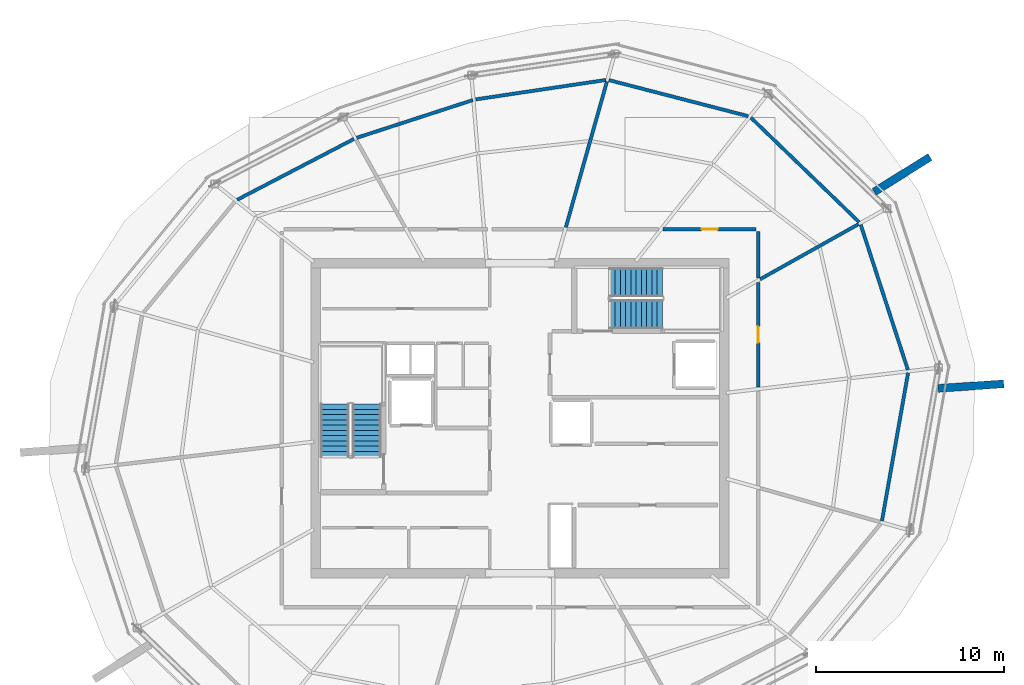
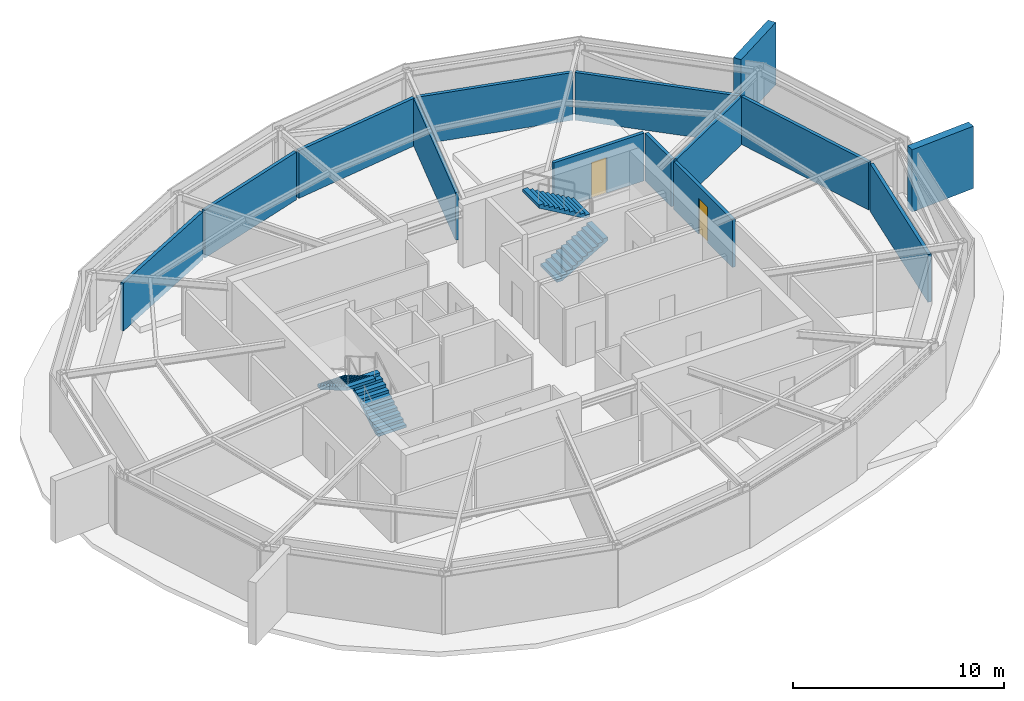
# One storey, part 9 of 10: 14 walls, 4 stair flights, 2 doors, 2 openings, 2 elements without a shape of their own.
"""IFC4 building model written with IfcOpenShell, lengths in metres."""

import ifcopenshell
import ifcopenshell.guid

model = None  # the IFC model being written
_history = None  # IfcOwnerHistory: only IFC2X3 demands one
_inside = {}  # id of a spatial element -> (the spatial element, [elements in it])
_under = {}  # id of a project, library or spatial element -> (it, [spatial elements below it])
_declared = {}  # id of a project -> (the project, [libraries it declares])
_typed = {}  # id of a type object -> (the type object, [elements of that type])
_made_of = {}  # id of a material, layer set ... -> (it, [elements and type objects made of it])


def new_model(schema):
    """Start an empty IFC model of exactly this schema.

    Asked for "IFC4X3", IfcOpenShell would pick the latest addendum, in which some entities
    have other attributes; the version numbers below select the first issue.
    IFC2X3 requires an IfcOwnerHistory on every rooted entity: one is made here for all.
    """
    global model, _history
    if schema == "IFC4X3":
        model = ifcopenshell.file(schema_version=(4, 3, 0, 0))
    else:
        model = ifcopenshell.file(schema=schema)
    _inside.clear()
    _under.clear()
    _declared.clear()
    _typed.clear()
    _made_of.clear()
    _history = None
    if model.schema == "IFC2X3":
        org = make("IfcOrganization", Name="unknown")
        user = make(
            "IfcPersonAndOrganization",
            ThePerson=make("IfcPerson", FamilyName="unknown"),
            TheOrganization=org,
        )
        app = make(
            "IfcApplication",
            ApplicationDeveloper=org,
            Version="unknown",
            ApplicationFullName="unknown",
            ApplicationIdentifier="unknown",
        )
        _history = make(
            "IfcOwnerHistory",
            OwningUser=user,
            OwningApplication=app,
            ChangeAction="ADDED",
            CreationDate=0,
        )
    return model


def make(cls, **values):
    """One entity of the class cls with the attributes given. An attribute that is None is left unset."""
    return model.create_entity(
        cls, **{name: value for name, value in values.items() if value is not None}
    )


def rooted(cls, **values):
    """An entity with a GlobalId (a new one), such as an element, a storey or a relation."""
    return make(cls, GlobalId=ifcopenshell.guid.new(), OwnerHistory=_history, **values)


def si_unit(unit_type, name, prefix=None):
    """IfcSIUnit, for example si_unit("LENGTHUNIT", "METRE", prefix="MILLI")."""
    return make("IfcSIUnit", UnitType=unit_type, Prefix=prefix, Name=name)


def assignment(units):
    """IfcUnitAssignment: the units of a project."""
    return None if units is None else make("IfcUnitAssignment", Units=units)


def point(xyz):
    """IfcCartesianPoint."""
    return None if xyz is None else make("IfcCartesianPoint", Coordinates=xyz)


def direction(xyz):
    """IfcDirection."""
    return None if xyz is None else make("IfcDirection", DirectionRatios=xyz)


def frame(location, z_axis=None, x_axis=None):
    """IfcAxis2Placement3D, a coordinate frame: its origin and axes. An axis left out is left unset."""
    return make(
        "IfcAxis2Placement3D",
        Location=point(location),
        Axis=direction(z_axis),
        RefDirection=direction(x_axis),
    )


def frame_2d(location, x_axis=None):
    """IfcAxis2Placement2D, a coordinate frame in the plane: its origin and x axis."""
    return make(
        "IfcAxis2Placement2D", Location=point(location), RefDirection=direction(x_axis)
    )


def origin():
    """The frame at (0, 0, 0) with its axes left unset."""
    return frame((0.0, 0.0, 0.0))


def place(relative_to, where):
    """IfcLocalPlacement: puts the frame where relative to a parent placement (None: the world)."""
    return make(
        "IfcLocalPlacement", PlacementRelTo=relative_to, RelativePlacement=where
    )


def context(
    kind, dimensions, precision=None, world=None, true_north=None, identifier=None
):
    """IfcGeometricRepresentationContext, for example the 3D "Model" context."""
    return make(
        "IfcGeometricRepresentationContext",
        ContextIdentifier=identifier,
        ContextType=kind,
        CoordinateSpaceDimension=dimensions,
        Precision=precision,
        WorldCoordinateSystem=world,
        TrueNorth=true_north,
    )


def subcontext(parent, identifier, kind, view, scale=None):
    """IfcGeometricRepresentationSubContext, for example "Body" below "Model"."""
    return make(
        "IfcGeometricRepresentationSubContext",
        ContextIdentifier=identifier,
        ContextType=kind,
        ParentContext=parent,
        TargetScale=scale,
        TargetView=view,
    )


def project(units=None, contexts=None):
    """IfcProject with its units and contexts."""
    return rooted(
        "IfcProject",
        Name="project",
        RepresentationContexts=contexts,
        UnitsInContext=assignment(units),
    )


def spatial(cls, under=None, at=None, **own):
    """A site, building, storey or space (cls), placed at a placement, below another one or the project."""
    s = rooted(cls, ObjectPlacement=at, **own)
    if under is not None:
        _under.setdefault(under.id(), (under, []))[1].append(s)
    return s


def polyline(points):
    """IfcPolyline through the points."""
    return make("IfcPolyline", Points=[point(p) for p in points])


def profile(cls, at=None, kind="AREA", **sizes):
    """A parametric profile (cls). Its sizes go by their IFC names, for example OverallWidth=200.0."""
    return make(cls, ProfileType=kind, Position=at, **sizes)


def rectangle(**sizes):
    """IfcRectangleProfileDef."""
    return profile("IfcRectangleProfileDef", **sizes)


def outline(outer, holes=None, kind="AREA"):
    """IfcArbitraryClosedProfileDef: a profile drawn as a closed curve; with holes, ...WithVoids."""
    if holes is None:
        return make("IfcArbitraryClosedProfileDef", ProfileType=kind, OuterCurve=outer)
    return make(
        "IfcArbitraryProfileDefWithVoids",
        ProfileType=kind,
        OuterCurve=outer,
        InnerCurves=holes,
    )


def extrude(swept, where, along, depth):
    """IfcExtrudedAreaSolid: the profile swept, set in the frame where, extruded along a direction by depth."""
    return make(
        "IfcExtrudedAreaSolid",
        SweptArea=swept,
        Position=where,
        ExtrudedDirection=direction(along),
        Depth=depth,
    )


def shape(context_of_items, identifier, shape_type, items):
    """IfcShapeRepresentation: the items that make up one representation, for example the "Body"."""
    return make(
        "IfcShapeRepresentation",
        ContextOfItems=context_of_items,
        RepresentationIdentifier=identifier,
        RepresentationType=shape_type,
        Items=items,
    )


def material(Name=None, Category=None):
    """IfcMaterial."""
    return make("IfcMaterial", Name=Name, Category=Category)


def layer(
    of_material, thickness, ventilated=None, Name=None, Category=None, Priority=None
):
    """IfcMaterialLayer: one layer of a wall or slab, of a material (None: an air gap)."""
    return make(
        "IfcMaterialLayer",
        Material=of_material,
        LayerThickness=thickness,
        IsVentilated=ventilated,
        Name=Name,
        Category=Category,
        Priority=Priority,
    )


def layer_set(layers, Name=None):
    """IfcMaterialLayerSet."""
    return make("IfcMaterialLayerSet", MaterialLayers=layers, LayerSetName=Name)


def made_of(thing, what):
    """Note that an element or type object is made of a material, layer set ...; save() writes the relation."""
    if what is not None:
        _made_of.setdefault(what.id(), (what, []))[1].append(thing)
    return thing


def type_object(cls, material=None, **own):
    """A type object (cls), such as IfcWallType, which elements share."""
    return made_of(rooted(cls, **own), material)


def element(
    cls,
    number,
    at=None,
    inside=None,
    cuts=None,
    type_object=None,
    material=None,
    context=None,
    identifier="Body",
    shape_type=None,
    held_by="IfcProductDefinitionShape",
    body=None,
    shapes=None,
    **own,
):
    """One element of the class cls, such as IfcWall. Its Tag is "e" and its number.

    at: its placement. inside: the storey or other place that contains it. cuts: it is an
    opening in that element (IfcRelVoidsElement). A single representation is given by context,
    identifier, shape_type and body (its items); several are given by shapes. held_by: the class
    of the entity that holds the representations. save() writes the other relations.
    """
    e = rooted(cls, Tag="e%d" % number, ObjectPlacement=at, **own)
    if body is not None:
        shapes = [shape(context, identifier, shape_type, body)]
    if shapes is not None:
        e.Representation = make(held_by, Representations=shapes)
    if inside is not None:
        _inside.setdefault(inside.id(), (inside, []))[1].append(e)
    if cuts is not None:
        rooted(
            "IfcRelVoidsElement", RelatingBuildingElement=cuts, RelatedOpeningElement=e
        )
    if type_object is not None:
        _typed.setdefault(type_object.id(), (type_object, []))[1].append(e)
    return made_of(e, material)


def fill(opening, filler):
    """IfcRelFillsElement: the door or window that sits in an opening."""
    return rooted(
        "IfcRelFillsElement",
        RelatingOpeningElement=opening,
        RelatedBuildingElement=filler,
    )


def aggregate(whole, parts):
    """IfcRelAggregates: a whole, such as a stair, and the parts it consists of."""
    return rooted("IfcRelAggregates", RelatingObject=whole, RelatedObjects=parts)


def save(model, path):
    """Write the relations noted so far, then the file.

    IfcRelAggregates (storeys below a building ...), IfcRelContainedInSpatialStructure (elements
    in a storey), IfcRelDefinesByType, IfcRelAssociatesMaterial and IfcRelDeclares: one each for
    every whole, place, type object, material and project.
    """
    for whole, parts in _under.values():
        aggregate(whole, parts)
    for where, things in _inside.values():
        rooted(
            "IfcRelContainedInSpatialStructure",
            RelatedElements=things,
            RelatingStructure=where,
        )
    for kind, things in _typed.values():
        rooted("IfcRelDefinesByType", RelatedObjects=things, RelatingType=kind)
    for what, things in _made_of.values():
        rooted("IfcRelAssociatesMaterial", RelatedObjects=things, RelatingMaterial=what)
    for by, libraries in _declared.values():
        rooted("IfcRelDeclares", RelatingContext=by, RelatedDefinitions=libraries)
    model.write(path)


model = new_model("IFC4")

# Units and contexts
model_context = context("Model", 3, precision=1e-05, world=origin(), true_north=direction((0.0, 1.0)))
body_context = subcontext(model_context, "Body", "Model", "MODEL_VIEW")
ifc_project = project(units=[si_unit("LENGTHUNIT", "METRE"), si_unit("AREAUNIT", "SQUARE_METRE"), si_unit("VOLUMEUNIT", "CUBIC_METRE"), si_unit("PLANEANGLEUNIT", "RADIAN"), si_unit("MASSUNIT", "GRAM", prefix="KILO")], contexts=[model_context])

# Site, building, storey
site_placement = place(None, origin())
site = spatial("IfcSite", under=ifc_project, at=site_placement, CompositionType="ELEMENT")
building_placement = place(site_placement, origin())
building = spatial("IfcBuilding", under=site, at=building_placement, Name="Kazma Halo Residences", CompositionType="ELEMENT")
storey_placement = place(building_placement, frame((0.0, 0.0, 370.39990234375)))
storey = spatial("IfcBuildingStorey", under=building, at=storey_placement, Name="L93", CompositionType="ELEMENT", Elevation=370.39990234375)

# Walls
ifc_material_1 = material(Name="Pale Concrete C60/75", Category="concrete")
ifc_layer_1 = layer(ifc_material_1, 0.419921875)
ifc_layer_set_1 = layer_set([ifc_layer_1], Name="Pale Concrete C60/75")
wall_type_1 = type_object("IfcWallType", Name="WL-BLADE-420", PredefinedType="SOLIDWALL", material=ifc_layer_set_1)
for number, where, z_axis, x_axis, name in (
    (1, (67.268798828125, 54.04052734375, 0.0), (0.0, 0.0, 1.0), (0.848033572426, 0.529942506352, 0.0), "L93 pale concrete structural blade fin wall BW-01"),
    (2, (70.666015625, 43.5849609375, 0.0), (0.0, 0.0, 1.0), (0.997564163539, 0.069754853754, 0.0), "L93 pale concrete structural blade fin wall BW-04"),
):
    element("IfcWall", number, at=place(storey_placement, frame(where, z_axis=z_axis, x_axis=x_axis)), inside=storey, type_object=wall_type_1, Name=name, PredefinedType="SOLIDWALL", context=body_context, shape_type="SweptSolid", body=[
        extrude(rectangle(XDim=3.5, YDim=0.419921875, at=frame_2d((1.75, 0.0))), origin(), (0.0, 0.0, 1.0), 3.60009765625),
    ])
ifc_material_2 = material(Name="Acoustic Twin-Stud Gypsum")
ifc_layer_2 = layer(ifc_material_2, 0.179931640625)
ifc_layer_set_2 = layer_set([ifc_layer_2], Name="Acoustic Twin-Stud Gypsum")
wall_type_2 = type_object("IfcWallType", Name="WL-DEM-180", PredefinedType="PARTITIONING", material=ifc_layer_set_2)
wall_1_placement = place(storey_placement, frame((66.466796875, 52.4296875, 0.0), z_axis=(0.0, 0.0, 1.0), x_axis=(-0.719364153135, 0.694633151516, 0.0)))
element("IfcWall", 3, at=wall_1_placement, inside=storey, type_object=wall_type_2, Name="L93 crown plant perimeter wall 00", PredefinedType="PARTITIONING", context=body_context, shape_type="SweptSolid", body=[
    extrude(rectangle(XDim=8.006103515625, YDim=0.179931640625, at=frame_2d((4.0029296875, 0.0))), origin(), (0.0, 0.0, 1.0), 2.760009765625),
])
wall_2_placement = place(storey_placement, frame((60.57275390625, 58.06640625, 0.0), z_axis=(0.0, 0.0, 1.0), x_axis=(-0.968117205342, 0.250497658115, 0.0)))
element("IfcWall", 4, at=wall_2_placement, inside=storey, type_object=wall_type_2, Name="L93 crown plant perimeter wall 01", PredefinedType="PARTITIONING", context=body_context, shape_type="SweptSolid", body=[
    extrude(rectangle(XDim=7.66162109375, YDim=0.179931640625, at=frame_2d((3.830810546875, 0.0))), origin(), (0.0, 0.0, 1.0), 2.760009765625),
])
wall_3_placement = place(storey_placement, frame((52.9990234375, 59.99365234375, 0.0), z_axis=(0.0, 0.0, 1.0), x_axis=(-0.989034336252, -0.147685753256, 0.0)))
element("IfcWall", 5, at=wall_3_placement, inside=storey, type_object=wall_type_2, Name="L93 crown plant perimeter wall 02", PredefinedType="PARTITIONING", context=body_context, shape_type="SweptSolid", body=[
    extrude(rectangle(XDim=7.002685546875, YDim=0.179931640625, at=frame_2d((3.50146484375, 0.0))), origin(), (0.0, 0.0, 1.0), 2.760009765625),
])
wall_4_placement = place(storey_placement, frame((45.91796875, 58.923095703125, 0.0), z_axis=(0.0, 0.0, 1.0), x_axis=(-0.95105283999, -0.309028308649, 0.0)))
element("IfcWall", 6, at=wall_4_placement, inside=storey, type_object=wall_type_2, Name="L93 crown plant perimeter wall 03", PredefinedType="PARTITIONING", context=body_context, shape_type="SweptSolid", body=[
    extrude(rectangle(XDim=6.498779296875, YDim=0.179931640625, at=frame_2d((3.24951171875, 0.0))), origin(), (0.0, 0.0, 1.0), 2.760009765625),
])
wall_5_placement = place(storey_placement, frame((39.590087890625, 56.85302734375, 0.0), z_axis=(0.0, 0.0, 1.0), x_axis=(-0.886949494865, -0.461866423935, 0.0)))
element("IfcWall", 7, at=wall_5_placement, inside=storey, type_object=wall_type_2, Name="L93 crown plant perimeter wall 04", PredefinedType="PARTITIONING", context=body_context, shape_type="SweptSolid", body=[
    extrude(rectangle(XDim=7.002197265625, YDim=0.179931640625, at=frame_2d((3.5009765625, 0.0))), origin(), (0.0, 0.0, 1.0), 2.760009765625),
])
wall_6_placement = place(storey_placement, frame((67.679931640625, 36.532470703125, 0.0), z_axis=(0.0, 0.0, 1.0), x_axis=(0.173668776466, 0.984804120666, 0.0)))
element("IfcWall", 8, at=wall_6_placement, inside=storey, type_object=wall_type_2, Name="L93 crown plant perimeter wall 14", PredefinedType="PARTITIONING", context=body_context, shape_type="SweptSolid", body=[
    extrude(rectangle(XDim=8.005859375, YDim=0.179931640625, at=frame_2d((4.0029296875, 0.0))), origin(), (0.0, 0.0, 1.0), 2.760009765625),
])
wall_7_placement = place(storey_placement, frame((69.059326171875, 44.571533203125, 0.0), z_axis=(0.0, 0.0, 1.0), x_axis=(-0.309024234991, 0.951054163646, 0.0)))
element("IfcWall", 9, at=wall_7_placement, inside=storey, type_object=wall_type_2, Name="L93 crown plant perimeter wall 15", PredefinedType="PARTITIONING", context=body_context, shape_type="SweptSolid", body=[
    extrude(rectangle(XDim=8.1240234375, YDim=0.179931640625, at=frame_2d((4.06201171875, 0.0))), origin(), (0.0, 0.0, 1.0), 2.760009765625),
])
wall_8_placement = place(storey_placement, frame((50.8642578125, 52.156005859375, 0.0), z_axis=(0.0, 0.0, 1.0), x_axis=(0.271457285698, 0.962450488099, 0.0)))
element("IfcWall", 10, at=wall_8_placement, inside=storey, type_object=wall_type_2, Name="L93 radial partition wall 02", PredefinedType="PARTITIONING", context=body_context, shape_type="SweptSolid", body=[
    extrude(rectangle(XDim=8.0556640625, YDim=0.179931640625, at=frame_2d((4.02783203125, 0.0))), origin(), (0.0, 0.0, 1.0), 2.760009765625),
])

# Wall, opening, door
wall_9_placement = place(storey_placement, frame((61.10009765625, 43.67041015625, 0.0), z_axis=(0.0, 0.0, 1.0), x_axis=(0.0, 1.0, 0.0)))
wall_9 = element("IfcWall", 11, at=wall_9_placement, inside=storey, type_object=wall_type_2, Name="L93 L93 Transformer Switchgear Plant Room corridor wall", PredefinedType="PARTITIONING", context=body_context, shape_type="SweptSolid", body=[
    extrude(rectangle(XDim=5.5458984375, YDim=0.179931640625, at=frame_2d((2.77294921875, 0.0))), origin(), (0.0, 0.0, 1.0), 2.760009765625),
])
opening_1_placement = place(wall_9_placement, frame((2.347900390625, 0.0, 0.0)))
opening_1 = element("IfcOpeningElement", 12, at=opening_1_placement, cuts=wall_9, Name="Opening DS-850", PredefinedType="OPENING", context=body_context, shape_type="SweptSolid", body=[
    extrude(rectangle(XDim=0.85009765625, YDim=2.06005859375, at=frame_2d((0.425048828125, 1.030029296875))), frame((0.0, 0.099853515625, 0.0), z_axis=(0.0, -1.0, 0.0), x_axis=(1.0, 0.0, 0.0)), (0.0, 0.0, 1.0), 0.199951171875),
])
ifc_material_3 = material(Name="Painted Steel Access Leaf", Category="steel")
door_type = type_object("IfcDoorType", Name="DR-SVC-850", OperationType="NOTDEFINED", PredefinedType="DOOR", material=ifc_material_3)
door_1_placement = place(opening_1_placement, origin())
door_1 = element("IfcDoor", 13, at=door_1_placement, inside=storey, type_object=door_type, Name="L93 L93 Transformer Switchgear Plant Room door", OperationType="SINGLE_SWING_RIGHT", OverallHeight=2.06005859375, OverallWidth=0.85009765625, PredefinedType="DOOR", context=body_context, shape_type="SweptSolid", body=[
    extrude(rectangle(XDim=0.85009765625, YDim=2.06005859375, at=frame_2d((0.425048828125, 1.030029296875))), frame((0.0, 0.02490234375, 0.0), z_axis=(0.0, -1.0, 0.0), x_axis=(1.0, 0.0, 0.0)), (0.0, 0.0, 1.0), 0.050048828125),
])
fill(opening_1, door_1)

# Walls
wall_10_placement = place(storey_placement, frame((61.196044921875, 49.39013671875, 0.0), z_axis=(0.0, 0.0, 1.0), x_axis=(0.87249769897, 0.488618220385, 0.0)))
element("IfcWall", 14, at=wall_10_placement, inside=storey, type_object=wall_type_2, Name="L93 radial partition wall 00", PredefinedType="PARTITIONING", context=body_context, shape_type="SweptSolid", body=[
    extrude(rectangle(XDim=6.0068359375, YDim=0.179931640625, at=frame_2d((3.00341796875, 0.0))), origin(), (0.0, 0.0, 1.0), 2.760009765625),
])
wall_11_placement = place(storey_placement, frame((61.10009765625, 49.456298828125, 0.0), z_axis=(0.0, 0.0, 1.0), x_axis=(0.0, 1.0, 0.0)))
element("IfcWall", 15, at=wall_11_placement, inside=storey, type_object=wall_type_2, Name="L93 L93 Telemetry Mechanical Plant Room corridor wall", PredefinedType="PARTITIONING", context=body_context, shape_type="SweptSolid", body=[
    extrude(rectangle(XDim=2.4736328125, YDim=0.179931640625, at=frame_2d((1.23681640625, 0.0))), origin(), (0.0, 0.0, 1.0), 2.760009765625),
])

# Wall, opening, door
wall_12_placement = place(storey_placement, frame((60.97998046875, 52.050048828125, 0.0), z_axis=(0.0, 0.0, 1.0), x_axis=(-1.0, 0.0, 0.0)))
wall_12 = element("IfcWall", 16, at=wall_12_placement, inside=storey, type_object=wall_type_2, Name="L93 L93 Telemetry Mechanical Plant Room corridor wall", PredefinedType="PARTITIONING", context=body_context, shape_type="SweptSolid", body=[
    extrude(rectangle(XDim=4.937255859375, YDim=0.179931640625, at=frame_2d((2.46875, 0.0))), origin(), (0.0, 0.0, 1.0), 2.760009765625),
])
opening_2_placement = place(wall_12_placement, frame((2.043701171875, 0.0, 0.0)))
opening_2 = element("IfcOpeningElement", 17, at=opening_2_placement, cuts=wall_12, Name="Opening DS-850", PredefinedType="OPENING", context=body_context, shape_type="SweptSolid", body=[
    extrude(rectangle(XDim=0.85009765625, YDim=2.06005859375, at=frame_2d((0.425048828125, 1.030029296875))), frame((0.0, 0.099853515625, 0.0), z_axis=(0.0, -1.0, 0.0), x_axis=(1.0, 0.0, 0.0)), (0.0, 0.0, 1.0), 0.199951171875),
])
door_2_placement = place(opening_2_placement, origin())
door_2 = element("IfcDoor", 18, at=door_2_placement, inside=storey, type_object=door_type, Name="L93 L93 Telemetry Mechanical Plant Room door", OperationType="SINGLE_SWING_LEFT", OverallHeight=2.06005859375, OverallWidth=0.85009765625, PredefinedType="DOOR", context=body_context, shape_type="SweptSolid", body=[
    extrude(rectangle(XDim=0.85009765625, YDim=2.06005859375, at=frame_2d((0.425048828125, 1.030029296875))), frame((0.0, 0.02490234375, 0.0), z_axis=(0.0, -1.0, 0.0), x_axis=(1.0, 0.0, 0.0)), (0.0, 0.0, 1.0), 0.050048828125),
])
fill(opening_2, door_2)

# Stair, stair flights
ifc_material_4 = material(Name="Concrete C50/60", Category="concrete")
stair_type = type_object("IfcStairType", Name="STR-CRWN", PredefinedType="HALF_TURN_STAIR", material=ifc_material_4)
stair_1_placement = place(storey_placement, origin())
stair_1 = element("IfcStair", 19, at=stair_1_placement, inside=storey, type_object=stair_type, Name="L93 Core exit stair ST-01", PredefinedType="HALF_TURN_STAIR")
stair_flight_type = type_object("IfcStairFlightType", Name="STR-CRWN-FLT", PredefinedType="STRAIGHT", material=ifc_material_4)
stair_flight_1_placement = place(storey_placement, frame((40.27490234375, 39.949951171875, 0.0), z_axis=(0.0, 0.0, 1.0), x_axis=(0.0, 1.0, 0.0)))
stair_flight_1 = element("IfcStairFlight", 20, at=stair_flight_1_placement, type_object=stair_flight_type, Name="ST-01 flight 1", NumberOfRisers=11, NumberOfTreads=10, PredefinedType="STRAIGHT", RiserHeight=0.163636364, TreadLength=0.28, context=body_context, shape_type="SweptSolid", body=[
    extrude(outline(polyline([(0.0, 0.0), (0.0, 0.16357421875), (0.280029296875, 0.16357421875), (0.280029296875, 0.327392578125), (0.56005859375, 0.327392578125), (0.56005859375, 0.490966796875), (0.840087890625, 0.490966796875), (0.840087890625, 0.654541015625), (1.1201171875, 0.654541015625), (1.1201171875, 0.818115234375), (1.39990234375, 0.818115234375), (1.39990234375, 0.98193359375), (1.679931640625, 0.98193359375), (1.679931640625, 1.1455078125), (1.9599609375, 1.1455078125), (1.9599609375, 1.30908203125), (2.239990234375, 1.30908203125), (2.239990234375, 1.47265625), (2.52001953125, 1.47265625), (2.52001953125, 1.636474609375), (2.800048828125, 1.636474609375), (2.800048828125, 1.800048828125), (2.800048828125, 1.462646484375), (0.297119140625, 0.0), (0.0, 0.0)])), frame((0.0, 0.77490234375, 0.0), z_axis=(0.0, -1.0, 0.0), x_axis=(1.0, 0.0, 0.0)), (0.0, 0.0, 1.0), 1.550048828125),
])
stair_flight_2_placement = place(storey_placement, frame((38.574951171875, 42.75, 1.800048828125), z_axis=(0.0, 0.0, 1.0), x_axis=(0.0, -1.0, 0.0)))
stair_flight_2 = element("IfcStairFlight", 21, at=stair_flight_2_placement, type_object=stair_flight_type, Name="ST-01 flight 2", NumberOfRisers=11, NumberOfTreads=10, PredefinedType="STRAIGHT", RiserHeight=0.163636364, TreadLength=0.28, context=body_context, shape_type="SweptSolid", body=[
    extrude(outline(polyline([(0.0, 0.0), (0.0, 0.16357421875), (0.280029296875, 0.16357421875), (0.280029296875, 0.327392578125), (0.56005859375, 0.327392578125), (0.56005859375, 0.490966796875), (0.840087890625, 0.490966796875), (0.840087890625, 0.654541015625), (1.1201171875, 0.654541015625), (1.1201171875, 0.818115234375), (1.39990234375, 0.818115234375), (1.39990234375, 0.98193359375), (1.679931640625, 0.98193359375), (1.679931640625, 1.1455078125), (1.9599609375, 1.1455078125), (1.9599609375, 1.30908203125), (2.239990234375, 1.30908203125), (2.239990234375, 1.47265625), (2.52001953125, 1.47265625), (2.52001953125, 1.636474609375), (2.800048828125, 1.636474609375), (2.800048828125, 1.800048828125), (2.800048828125, 1.462646484375), (0.297119140625, 0.0), (0.0, 0.0)])), frame((0.0, 0.77490234375, 0.0), z_axis=(0.0, -1.0, 0.0), x_axis=(1.0, 0.0, 0.0)), (0.0, 0.0, 1.0), 1.550048828125),
])
aggregate(stair_1, [stair_flight_1, stair_flight_2])

stair_2_placement = place(storey_placement, origin())
stair_2 = element("IfcStair", 22, at=stair_2_placement, inside=storey, type_object=stair_type, Name="L93 Core exit stair ST-02", PredefinedType="HALF_TURN_STAIR")
stair_flight_3_placement = place(storey_placement, frame((53.199951171875, 47.52490234375, 0.0), z_axis=(0.0, 0.0, 1.0), x_axis=(1.0, 0.0, 0.0)))
stair_flight_3 = element("IfcStairFlight", 23, at=stair_flight_3_placement, type_object=stair_flight_type, Name="ST-02 flight 1", NumberOfRisers=11, NumberOfTreads=10, PredefinedType="STRAIGHT", RiserHeight=0.163636364, TreadLength=0.28, context=body_context, shape_type="SweptSolid", body=[
    extrude(outline(polyline([(0.0, 0.0), (0.0, 0.16357421875), (0.280029296875, 0.16357421875), (0.280029296875, 0.327392578125), (0.56005859375, 0.327392578125), (0.56005859375, 0.490966796875), (0.840087890625, 0.490966796875), (0.840087890625, 0.654541015625), (1.1201171875, 0.654541015625), (1.1201171875, 0.818115234375), (1.39990234375, 0.818115234375), (1.39990234375, 0.98193359375), (1.679931640625, 0.98193359375), (1.679931640625, 1.1455078125), (1.9599609375, 1.1455078125), (1.9599609375, 1.30908203125), (2.239990234375, 1.30908203125), (2.239990234375, 1.47265625), (2.52001953125, 1.47265625), (2.52001953125, 1.636474609375), (2.800048828125, 1.636474609375), (2.800048828125, 1.800048828125), (2.800048828125, 1.462646484375), (0.297119140625, 0.0), (0.0, 0.0)])), frame((0.0, 0.77490234375, 0.0), z_axis=(0.0, -1.0, 0.0), x_axis=(1.0, 0.0, 0.0)), (0.0, 0.0, 1.0), 1.550048828125),
])
stair_flight_4_placement = place(storey_placement, frame((56.0, 49.22509765625, 1.800048828125), z_axis=(0.0, 0.0, 1.0), x_axis=(-1.0, 0.0, 0.0)))
stair_flight_4 = element("IfcStairFlight", 24, at=stair_flight_4_placement, type_object=stair_flight_type, Name="ST-02 flight 2", NumberOfRisers=11, NumberOfTreads=10, PredefinedType="STRAIGHT", RiserHeight=0.163636364, TreadLength=0.28, context=body_context, shape_type="SweptSolid", body=[
    extrude(outline(polyline([(0.0, 0.0), (0.0, 0.16357421875), (0.280029296875, 0.16357421875), (0.280029296875, 0.327392578125), (0.56005859375, 0.327392578125), (0.56005859375, 0.490966796875), (0.840087890625, 0.490966796875), (0.840087890625, 0.654541015625), (1.1201171875, 0.654541015625), (1.1201171875, 0.818115234375), (1.39990234375, 0.818115234375), (1.39990234375, 0.98193359375), (1.679931640625, 0.98193359375), (1.679931640625, 1.1455078125), (1.9599609375, 1.1455078125), (1.9599609375, 1.30908203125), (2.239990234375, 1.30908203125), (2.239990234375, 1.47265625), (2.52001953125, 1.47265625), (2.52001953125, 1.636474609375), (2.800048828125, 1.636474609375), (2.800048828125, 1.800048828125), (2.800048828125, 1.462646484375), (0.297119140625, 0.0), (0.0, 0.0)])), frame((0.0, 0.77490234375, 0.0), z_axis=(0.0, -1.0, 0.0), x_axis=(1.0, 0.0, 0.0)), (0.0, 0.0, 1.0), 1.550048828125),
])
aggregate(stair_2, [stair_flight_3, stair_flight_4])

save(model, "model.ifc")
